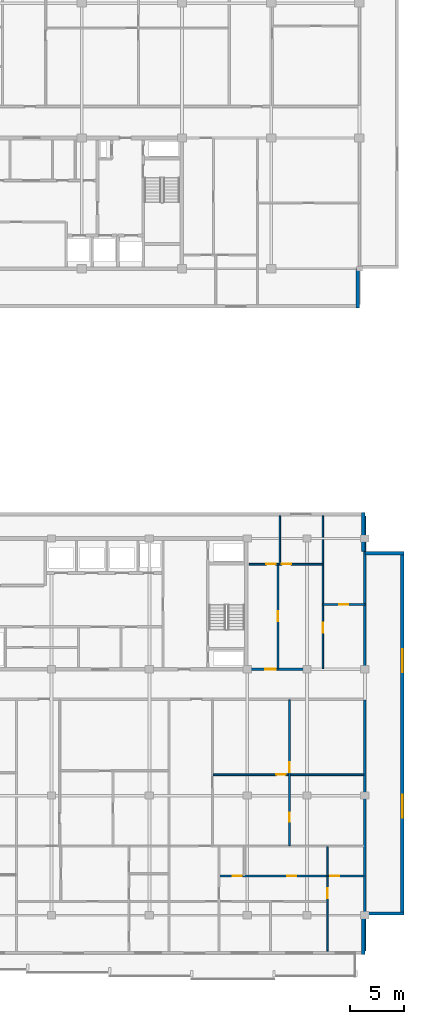
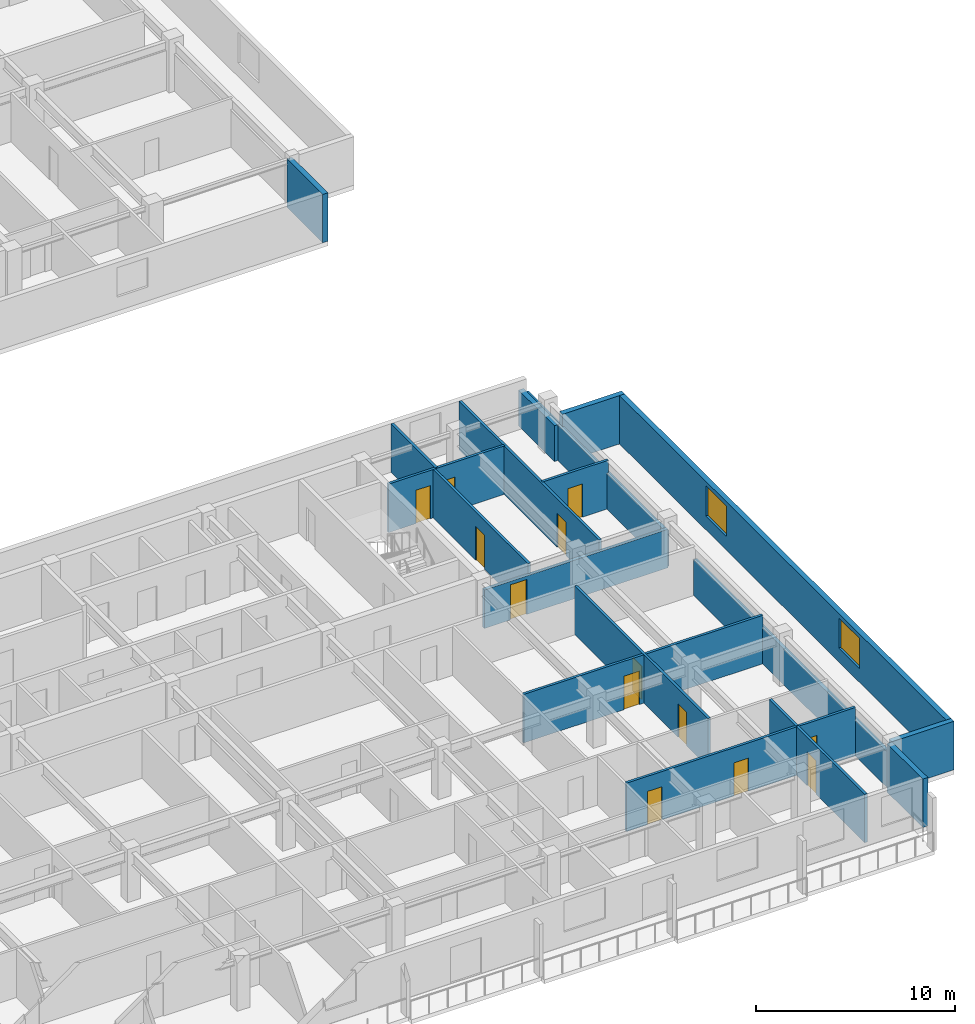
# One storey, part 10 of 22: 19 walls, 13 doors, 2 windows, 15 openings.
"""IFC4 building model written with IfcOpenShell, lengths in metres."""

from ifc_helpers import new_model, si_unit, direction, frame, frame_2d, origin, place, context, subcontext, project, spatial, rectangle, extrude, material, layer, layer_set, type_object, element, fill, save


model = new_model("IFC4")

# Units and contexts
model_context = context("Model", 3, precision=1e-05, world=origin(), true_north=direction((0.0, 1.0)))
body_context = subcontext(model_context, "Body", "Model", "MODEL_VIEW")
ifc_project = project(units=[si_unit("LENGTHUNIT", "METRE"), si_unit("AREAUNIT", "SQUARE_METRE"), si_unit("VOLUMEUNIT", "CUBIC_METRE"), si_unit("PLANEANGLEUNIT", "RADIAN"), si_unit("MASSUNIT", "GRAM", prefix="KILO")], contexts=[model_context])

# Site, building, storey
site_placement = place(None, origin())
site = spatial("IfcSite", under=ifc_project, at=site_placement, CompositionType="ELEMENT")
building_placement = place(site_placement, origin())
building = spatial("IfcBuilding", under=site, at=building_placement, Name="Korimba Cascade Residences", CompositionType="ELEMENT")
storey_placement = place(building_placement, frame((0.0, 0.0, 191.35009765625)))
storey = spatial("IfcBuildingStorey", under=building, at=storey_placement, Name="L55", CompositionType="ELEMENT", Elevation=191.35009765625)

# Walls
ifc_material_1 = material(Name="Precast concrete C40/50", Category="concrete")
ifc_layer_1 = layer(ifc_material_1, 0.300048828125)
ifc_layer_set_1 = layer_set([ifc_layer_1], Name="Precast concrete C40/50")
wall_type_1 = type_object("IfcWallType", Name="EW-STONE-300", PredefinedType="STANDARD", material=ifc_layer_set_1)
wall_1_placement = place(storey_placement, frame((128.25, 51.60009765625, 0.0), z_axis=(0.0, 0.0, 1.0), x_axis=(0.0, 1.0, 0.0)))
element("IfcWall", 1, at=wall_1_placement, inside=storey, type_object=wall_type_1, Name="L55 T1 Perimeter Stone Wall E01", PredefinedType="STANDARD", context=body_context, shape_type="SweptSolid", body=[
    extrude(rectangle(XDim=3.599853515625, YDim=0.300048828125, at=frame_2d((1.7998046875, 0.0))), origin(), (0.0, 0.0, 1.0), 2.969970703125),
])
for number, where, z_axis, x_axis, name in (
    (2, (128.75, -7.800048828125, 0.0), (0.0, 0.0, 1.0), (0.0, 1.0, 0.0), "L55 T2 Perimeter Stone Wall E01"),
    (3, (128.89990234375, -4.050048828125, 0.0), (0.0, 0.0, 1.0), (1.0, 0.0, 0.0), "L55 T2 Perimeter Stone Wall E02"),
):
    element("IfcWall", number, at=place(storey_placement, frame(where, z_axis=z_axis, x_axis=x_axis)), inside=storey, type_object=wall_type_1, Name=name, PredefinedType="STANDARD", context=body_context, shape_type="SweptSolid", body=[
        extrude(rectangle(XDim=3.60009765625, YDim=0.300048828125, at=frame_2d((1.800048828125, 0.0))), origin(), (0.0, 0.0, 1.0), 2.969970703125),
    ])

# Wall, openings, windows
wall_2_placement = place(storey_placement, frame((132.35009765625, -4.199951171875, 0.0), z_axis=(0.0, 0.0, 1.0), x_axis=(0.0, 1.0, 0.0)))
wall_2 = element("IfcWall", 4, at=wall_2_placement, inside=storey, type_object=wall_type_1, Name="L55 T2 Perimeter Stone Wall E03", PredefinedType="STANDARD", context=body_context, shape_type="SweptSolid", body=[
    extrude(rectangle(XDim=33.39990234375, YDim=0.300048828125, at=frame_2d((16.699951171875, 0.0))), origin(), (0.0, 0.0, 1.0), 2.969970703125),
])
opening_1_placement = place(wall_2_placement, frame((8.969970703125, 0.0, 0.85009765625)))
opening_1 = element("IfcOpeningElement", 5, at=opening_1_placement, cuts=wall_2, Name="Opening W-03", PredefinedType="OPENING", context=body_context, shape_type="SweptSolid", body=[
    extrude(rectangle(XDim=2.10009765625, YDim=1.85009765625, at=frame_2d((1.050048828125, 0.925048828125))), frame((0.0, 0.16015625, 0.0), z_axis=(0.0, -1.0, 0.0), x_axis=(1.0, 0.0, 0.0)), (0.0, 0.0, 1.0), 0.320068359375),
])
opening_2_placement = place(wall_2_placement, frame((22.330078125, 0.0, 0.85009765625)))
opening_2 = element("IfcOpeningElement", 6, at=opening_2_placement, cuts=wall_2, Name="Opening W-03", PredefinedType="OPENING", context=body_context, shape_type="SweptSolid", body=[
    extrude(rectangle(XDim=2.10009765625, YDim=1.85009765625, at=frame_2d((1.050048828125, 0.925048828125))), frame((0.0, 0.16015625, 0.0), z_axis=(0.0, -1.0, 0.0), x_axis=(1.0, 0.0, 0.0)), (0.0, 0.0, 1.0), 0.320068359375),
])
ifc_material_2 = material(Name="Double-Glazed Aluminium Window", Category="aluminium")
window_type = type_object("IfcWindowType", Name="WIN-CRN-2100", PartitioningType="DOUBLE_PANEL_HORIZONTAL", PredefinedType="WINDOW", material=ifc_material_2)
window_1_placement = place(opening_1_placement, origin())
window_1 = element("IfcWindow", 7, at=window_1_placement, inside=storey, type_object=window_type, Name="L55 T2 End View Window 3.1", OverallHeight=1.85009765625, OverallWidth=2.10009765625, PartitioningType="DOUBLE_PANEL_HORIZONTAL", PredefinedType="WINDOW", context=body_context, shape_type="SweptSolid", body=[
    extrude(rectangle(XDim=2.10009765625, YDim=1.85009765625, at=frame_2d((1.050048828125, 0.925048828125))), frame((0.0, 0.030029296875, 0.0), z_axis=(0.0, -1.0, 0.0), x_axis=(1.0, 0.0, 0.0)), (0.0, 0.0, 1.0), 0.06005859375),
])
fill(opening_1, window_1)
window_2_placement = place(opening_2_placement, origin())
window_2 = element("IfcWindow", 8, at=window_2_placement, inside=storey, type_object=window_type, Name="L55 T2 End View Window 3.2", OverallHeight=1.85009765625, OverallWidth=2.10009765625, PartitioningType="DOUBLE_PANEL_HORIZONTAL", PredefinedType="WINDOW", context=body_context, shape_type="SweptSolid", body=[
    extrude(rectangle(XDim=2.10009765625, YDim=1.85009765625, at=frame_2d((1.050048828125, 0.925048828125))), frame((0.0, 0.030029296875, 0.0), z_axis=(0.0, -1.0, 0.0), x_axis=(1.0, 0.0, 0.0)), (0.0, 0.0, 1.0), 0.06005859375),
])
fill(opening_2, window_2)

# Walls
wall_3_placement = place(storey_placement, frame((132.5, 29.050048828125, 0.0), z_axis=(0.0, 0.0, 1.0), x_axis=(-1.0, 0.0, 0.0)))
element("IfcWall", 9, at=wall_3_placement, inside=storey, type_object=wall_type_1, Name="L55 T2 Perimeter Stone Wall E04", PredefinedType="STANDARD", context=body_context, shape_type="SweptSolid", body=[
    extrude(rectangle(XDim=3.60009765625, YDim=0.300048828125, at=frame_2d((1.800048828125, 0.0))), origin(), (0.0, 0.0, 1.0), 2.969970703125),
])
wall_4_placement = place(storey_placement, frame((128.75, 29.199951171875, 0.0), z_axis=(0.0, 0.0, 1.0), x_axis=(0.0, 1.0, 0.0)))
element("IfcWall", 10, at=wall_4_placement, inside=storey, type_object=wall_type_1, Name="L55 T2 Perimeter Stone Wall E05", PredefinedType="STANDARD", context=body_context, shape_type="SweptSolid", body=[
    extrude(rectangle(XDim=3.60009765625, YDim=0.300048828125, at=frame_2d((1.800048828125, 0.0))), origin(), (0.0, 0.0, 1.0), 2.2001953125),
])
ifc_layer_2 = layer(ifc_material_1, 0.199951171875)
ifc_layer_set_2 = layer_set([ifc_layer_2], Name="Precast concrete C40/50")
wall_type_2 = type_object("IfcWallType", Name="WAL-IT-200", PredefinedType="PARTITIONING", material=ifc_layer_set_2)
wall_5_placement = place(storey_placement, frame((128.89990234375, 18.39990234375, 0.0), z_axis=(0.0, 0.0, 1.0), x_axis=(0.0, 1.0, 0.0)))
element("IfcWall", 11, at=wall_5_placement, inside=storey, type_object=wall_type_2, Name="L55 Partition Wall WAL-L55-T2-FE-WR", PredefinedType="PARTITIONING", context=body_context, shape_type="SweptSolid", body=[
    extrude(rectangle(XDim=14.10009765625, YDim=0.199951171875, at=frame_2d((7.050048828125, 0.0))), origin(), (0.0, 0.0, 1.0), 2.2001953125),
])

# Wall, opening, door
wall_6_placement = place(storey_placement, frame((118.25, 18.39990234375, 0.0), z_axis=(0.0, 0.0, 1.0), x_axis=(1.0, 0.0, 0.0)))
wall_6 = element("IfcWall", 12, at=wall_6_placement, inside=storey, type_object=wall_type_2, Name="L55 Partition Wall WAL-L55-T2-FE-S", PredefinedType="PARTITIONING", context=body_context, shape_type="SweptSolid", body=[
    extrude(rectangle(XDim=10.64990234375, YDim=0.199951171875, at=frame_2d((5.324951171875, 0.0))), origin(), (0.0, 0.0, 1.0), 2.357666015625),
])
opening_3_placement = place(wall_6_placement, frame((1.510009765625, 0.0, 0.0)))
opening_3 = element("IfcOpeningElement", 13, at=opening_3_placement, cuts=wall_6, Name="Opening D-UN1", PredefinedType="OPENING", context=body_context, shape_type="SweptSolid", body=[
    extrude(rectangle(XDim=0.949951171875, YDim=2.14990234375, at=frame_2d((0.47509765625, 1.074951171875))), frame((0.0, 0.10986328125, 0.0), z_axis=(0.0, -1.0, 0.0), x_axis=(1.0, 0.0, 0.0)), (0.0, 0.0, 1.0), 0.219970703125),
])
ifc_material_3 = material(Name="Fire-Rated Hardwood Apartment Entrance Door", Category="wood")
door_type_1 = type_object("IfcDoorType", Name="DR-FD60-950", OperationType="NOTDEFINED", PredefinedType="DOOR", material=ifc_material_3)
door_1_placement = place(opening_3_placement, origin())
door_1 = element("IfcDoor", 14, at=door_1_placement, inside=storey, type_object=door_type_1, Name="L55-T2-FE Entrance Door", OperationType="SINGLE_SWING_RIGHT", OverallHeight=2.14990234375, OverallWidth=0.949951171875, PredefinedType="DOOR", context=body_context, shape_type="SweptSolid", body=[
    extrude(rectangle(XDim=0.949951171875, YDim=2.14990234375, at=frame_2d((0.47509765625, 1.074951171875))), frame((0.0, 0.02490234375, 0.0), z_axis=(0.0, -1.0, 0.0), x_axis=(1.0, 0.0, 0.0)), (0.0, 0.0, 1.0), 0.050048828125),
])
fill(opening_3, door_1)

# Wall
wall_7_placement = place(storey_placement, frame((128.89990234375, -7.5, 0.0), z_axis=(0.0, 0.0, 1.0), x_axis=(0.0, 1.0, 0.0)))
element("IfcWall", 15, at=wall_7_placement, inside=storey, type_object=wall_type_2, Name="L55 Partition Wall WAL-L55-T2-BNDWR", PredefinedType="PARTITIONING", context=body_context, shape_type="SweptSolid", body=[
    extrude(rectangle(XDim=23.070068359375, YDim=0.199951171875, at=frame_2d((11.53515625, 0.0))), origin(), (0.0, 0.0, 1.0), 2.2001953125),
])

# Wall, opening, door
ifc_material_4 = material(Name="Insulated Acoustic Stud Partition", Category="gypsum")
ifc_layer_3 = layer(ifc_material_4, 0.14990234375)
ifc_layer_set_3 = layer_set([ifc_layer_3], Name="Insulated Acoustic Stud Partition")
wall_type_3 = type_object("IfcWallType", Name="WAL-PART-150", PredefinedType="PARTITIONING", material=ifc_layer_set_3)
wall_8_placement = place(storey_placement, frame((125.050048828125, 24.35009765625, 0.0), z_axis=(0.0, 0.0, 1.0), x_axis=(1.0, 0.0, 0.0)))
wall_8 = element("IfcWall", 16, at=wall_8_placement, inside=storey, type_object=wall_type_3, Name="L55 Partition Wall WAL-L55-T2-FE-STH", PredefinedType="PARTITIONING", context=body_context, shape_type="SweptSolid", body=[
    extrude(rectangle(XDim=3.849853515625, YDim=0.14990234375, at=frame_2d((1.9248046875, 0.0))), origin(), (0.0, 0.0, 1.0), 2.969970703125),
])
opening_4_placement = place(wall_8_placement, frame((1.5048828125, 0.0, 0.0)))
opening_4 = element("IfcOpeningElement", 17, at=opening_4_placement, cuts=wall_8, Name="Opening D-BT1", PredefinedType="OPENING", context=body_context, shape_type="SweptSolid", body=[
    extrude(rectangle(XDim=0.840087890625, YDim=2.0400390625, at=frame_2d((0.419921875, 1.02001953125))), frame((0.0, 0.0849609375, 0.0), z_axis=(0.0, -1.0, 0.0), x_axis=(1.0, 0.0, 0.0)), (0.0, 0.0, 1.0), 0.169921875),
])
ifc_material_5 = material(Name="Moisture-Resistant Bathroom Timber Door", Category="wood")
door_type_2 = type_object("IfcDoorType", Name="DR-INT-850", OperationType="NOTDEFINED", PredefinedType="DOOR", material=ifc_material_5)
door_2_placement = place(opening_4_placement, origin())
door_2 = element("IfcDoor", 18, at=door_2_placement, inside=storey, type_object=door_type_2, Name="L55-T2-FE Dressing Store Door", OperationType="SINGLE_SWING_LEFT", OverallHeight=2.0400390625, OverallWidth=0.840087890625, PredefinedType="DOOR", context=body_context, shape_type="SweptSolid", body=[
    extrude(rectangle(XDim=0.840087890625, YDim=2.0400390625, at=frame_2d((0.419921875, 1.02001953125))), frame((0.0, 0.02490234375, 0.0), z_axis=(0.0, -1.0, 0.0), x_axis=(1.0, 0.0, 0.0)), (0.0, 0.0, 1.0), 0.050048828125),
])
fill(opening_4, door_2)

wall_9_placement = place(storey_placement, frame((125.050048828125, 18.449951171875, 0.0), z_axis=(0.0, 0.0, 1.0), x_axis=(0.0, 1.0, 0.0)))
wall_9 = element("IfcWall", 19, at=wall_9_placement, inside=storey, type_object=wall_type_3, Name="L55 Partition Wall WAL-L55-T2-FE-STV", PredefinedType="PARTITIONING", context=body_context, shape_type="SweptSolid", body=[
    extrude(rectangle(XDim=14.050048828125, YDim=0.14990234375, at=frame_2d((7.02490234375, 0.0))), origin(), (0.0, 0.0, 1.0), 2.969970703125),
])
opening_5_placement = place(wall_9_placement, frame((3.320068359375, 0.0, 0.0)))
opening_5 = element("IfcOpeningElement", 20, at=opening_5_placement, cuts=wall_9, Name="Opening D-IN2", PredefinedType="OPENING", context=body_context, shape_type="SweptSolid", body=[
    extrude(rectangle(XDim=0.8798828125, YDim=2.06005859375, at=frame_2d((0.43994140625, 1.030029296875))), frame((0.0, 0.0849609375, 0.0), z_axis=(0.0, -1.0, 0.0), x_axis=(1.0, 0.0, 0.0)), (0.0, 0.0, 1.0), 0.169921875),
])
ifc_material_6 = material(Name="Acoustic Timber Bedroom Door", Category="wood")
door_type_3 = type_object("IfcDoorType", Name="DR-INT-880", OperationType="NOTDEFINED", PredefinedType="DOOR", material=ifc_material_6)
door_3_placement = place(opening_5_placement, origin())
door_3 = element("IfcDoor", 21, at=door_3_placement, inside=storey, type_object=door_type_3, Name="L55-T2-FE Study Door", OperationType="SINGLE_SWING_RIGHT", OverallHeight=2.06005859375, OverallWidth=0.8798828125, PredefinedType="DOOR", context=body_context, shape_type="SweptSolid", body=[
    extrude(rectangle(XDim=0.8798828125, YDim=2.06005859375, at=frame_2d((0.43994140625, 1.030029296875))), frame((0.0, 0.02490234375, 0.0), z_axis=(0.0, -1.0, 0.0), x_axis=(1.0, 0.0, 0.0)), (0.0, 0.0, 1.0), 0.050048828125),
])
fill(opening_5, door_3)

wall_10_placement = place(storey_placement, frame((120.929931640625, 18.449951171875, 0.0), z_axis=(0.0, 0.0, 1.0), x_axis=(0.0, 1.0, 0.0)))
wall_10 = element("IfcWall", 22, at=wall_10_placement, inside=storey, type_object=wall_type_3, Name="L55 Partition Wall WAL-L55-T2-FE-VS", PredefinedType="PARTITIONING", context=body_context, shape_type="SweptSolid", body=[
    extrude(rectangle(XDim=9.60009765625, YDim=0.14990234375, at=frame_2d((4.800048828125, 0.0))), origin(), (0.0, 0.0, 1.0), 2.969970703125),
])
opening_6_placement = place(wall_10_placement, frame((4.340087890625, 0.0, 0.0)))
opening_6 = element("IfcOpeningElement", 23, at=opening_6_placement, cuts=wall_10, Name="Opening D-IN1", PredefinedType="OPENING", context=body_context, shape_type="SweptSolid", body=[
    extrude(rectangle(XDim=0.919921875, YDim=2.080078125, at=frame_2d((0.4599609375, 1.0400390625))), frame((0.0, 0.0849609375, 0.0), z_axis=(0.0, -1.0, 0.0), x_axis=(1.0, 0.0, 0.0)), (0.0, 0.0, 1.0), 0.169921875),
])
ifc_material_7 = material(Name="Acoustic Timber Living Door", Category="wood")
door_type_4 = type_object("IfcDoorType", Name="DR-INT-920", OperationType="NOTDEFINED", PredefinedType="DOOR", material=ifc_material_7)
door_4_placement = place(opening_6_placement, origin())
door_4 = element("IfcDoor", 24, at=door_4_placement, inside=storey, type_object=door_type_4, Name="L55-T2-FE Living Door", OperationType="SINGLE_SWING_LEFT", OverallHeight=2.080078125, OverallWidth=0.919921875, PredefinedType="DOOR", context=body_context, shape_type="SweptSolid", body=[
    extrude(rectangle(XDim=0.919921875, YDim=2.080078125, at=frame_2d((0.4599609375, 1.0400390625))), frame((0.0, 0.02490234375, 0.0), z_axis=(0.0, -1.0, 0.0), x_axis=(1.0, 0.0, 0.0)), (0.0, 0.0, 1.0), 0.050048828125),
])
fill(opening_6, door_4)

# Wall
wall_11_placement = place(storey_placement, frame((121.10009765625, 28.050048828125, 0.0), z_axis=(0.0, 0.0, 1.0), x_axis=(0.0, 1.0, 0.0)))
element("IfcWall", 25, at=wall_11_placement, inside=storey, type_object=wall_type_3, Name="L55 Partition Wall WAL-L55-T2-FE-VN", PredefinedType="PARTITIONING", context=body_context, shape_type="SweptSolid", body=[
    extrude(rectangle(XDim=4.449951171875, YDim=0.14990234375, at=frame_2d((2.22509765625, 0.0))), origin(), (0.0, 0.0, 1.0), 2.969970703125),
])

# Wall, openings, doors
wall_12_placement = place(storey_placement, frame((118.27001953125, 28.050048828125, 0.0), z_axis=(0.0, 0.0, 1.0), x_axis=(1.0, 0.0, 0.0)))
wall_12 = element("IfcWall", 26, at=wall_12_placement, inside=storey, type_object=wall_type_3, Name="L55 Partition Wall WAL-L55-T2-FE-H", PredefinedType="PARTITIONING", context=body_context, shape_type="SweptSolid", body=[
    extrude(rectangle(XDim=6.760009765625, YDim=0.14990234375, at=frame_2d((3.3798828125, 0.0))), origin(), (0.0, 0.0, 1.0), 2.969970703125),
])
opening_7_placement = place(wall_12_placement, frame((1.58740234375, 0.0, 0.0)))
opening_7 = element("IfcOpeningElement", 27, at=opening_7_placement, cuts=wall_12, Name="Opening D-BT1", PredefinedType="OPENING", context=body_context, shape_type="SweptSolid", body=[
    extrude(rectangle(XDim=0.840087890625, YDim=2.0400390625, at=frame_2d((0.419921875, 1.02001953125))), frame((0.0, 0.0849609375, 0.0), z_axis=(0.0, -1.0, 0.0), x_axis=(1.0, 0.0, 0.0)), (0.0, 0.0, 1.0), 0.169921875),
])
opening_8_placement = place(wall_12_placement, frame((2.988037109375, 0.0, 0.0)))
opening_8 = element("IfcOpeningElement", 28, at=opening_8_placement, cuts=wall_12, Name="Opening D-IN2", PredefinedType="OPENING", context=body_context, shape_type="SweptSolid", body=[
    extrude(rectangle(XDim=0.8798828125, YDim=2.06005859375, at=frame_2d((0.43994140625, 1.030029296875))), frame((0.0, 0.0849609375, 0.0), z_axis=(0.0, -1.0, 0.0), x_axis=(1.0, 0.0, 0.0)), (0.0, 0.0, 1.0), 0.169921875),
])
door_5_placement = place(opening_7_placement, origin())
door_5 = element("IfcDoor", 29, at=door_5_placement, inside=storey, type_object=door_type_2, Name="L55-T2-FE Bathroom Door", OperationType="SINGLE_SWING_RIGHT", OverallHeight=2.0400390625, OverallWidth=0.840087890625, PredefinedType="DOOR", context=body_context, shape_type="SweptSolid", body=[
    extrude(rectangle(XDim=0.840087890625, YDim=2.0400390625, at=frame_2d((0.419921875, 1.02001953125))), frame((0.0, 0.02490234375, 0.0), z_axis=(0.0, -1.0, 0.0), x_axis=(1.0, 0.0, 0.0)), (0.0, 0.0, 1.0), 0.050048828125),
])
fill(opening_7, door_5)
door_6_placement = place(opening_8_placement, origin())
door_6 = element("IfcDoor", 30, at=door_6_placement, inside=storey, type_object=door_type_3, Name="L55-T2-FE Bedroom Door", OperationType="SINGLE_SWING_LEFT", OverallHeight=2.06005859375, OverallWidth=0.8798828125, PredefinedType="DOOR", context=body_context, shape_type="SweptSolid", body=[
    extrude(rectangle(XDim=0.8798828125, YDim=2.06005859375, at=frame_2d((0.43994140625, 1.030029296875))), frame((0.0, 0.02490234375, 0.0), z_axis=(0.0, -1.0, 0.0), x_axis=(1.0, 0.0, 0.0)), (0.0, 0.0, 1.0), 0.050048828125),
])
fill(opening_8, door_6)

wall_13_placement = place(storey_placement, frame((121.985595703125, 2.18994140625, 0.0), z_axis=(0.0, 0.0, 1.0), x_axis=(0.0, 1.0, 0.0)))
wall_13 = element("IfcWall", 31, at=wall_13_placement, inside=storey, type_object=wall_type_3, Name="L55 Partition Wall WAL-L55-T2-U03-FMV", PredefinedType="PARTITIONING", context=body_context, shape_type="SweptSolid", body=[
    extrude(rectangle(XDim=13.400146484375, YDim=0.14990234375, at=frame_2d((6.7001953125, 0.0))), origin(), (0.0, 0.0, 1.0), 2.969970703125),
])
opening_9_placement = place(wall_13_placement, frame((2.1787109375, 0.0, 0.0)))
opening_9 = element("IfcOpeningElement", 32, at=opening_9_placement, cuts=wall_13, Name="Opening D-BT1", PredefinedType="OPENING", context=body_context, shape_type="SweptSolid", body=[
    extrude(rectangle(XDim=0.840087890625, YDim=2.0400390625, at=frame_2d((0.419921875, 1.02001953125))), frame((0.0, 0.0849609375, 0.0), z_axis=(0.0, -1.0, 0.0), x_axis=(1.0, 0.0, 0.0)), (0.0, 0.0, 1.0), 0.169921875),
])
opening_10_placement = place(wall_13_placement, frame((6.77001953125, 0.0, 0.0)))
opening_10 = element("IfcOpeningElement", 33, at=opening_10_placement, cuts=wall_13, Name="Opening D-IN2", PredefinedType="OPENING", context=body_context, shape_type="SweptSolid", body=[
    extrude(rectangle(XDim=0.8798828125, YDim=2.06005859375, at=frame_2d((0.43994140625, 1.030029296875))), frame((0.0, 0.0849609375, 0.0), z_axis=(0.0, -1.0, 0.0), x_axis=(1.0, 0.0, 0.0)), (0.0, 0.0, 1.0), 0.169921875),
])
door_7_placement = place(opening_9_placement, origin())
door_7 = element("IfcDoor", 34, at=door_7_placement, inside=storey, type_object=door_type_2, Name="L55-T2-U03 Wardrobe Door", OperationType="SINGLE_SWING_LEFT", OverallHeight=2.0400390625, OverallWidth=0.840087890625, PredefinedType="DOOR", context=body_context, shape_type="SweptSolid", body=[
    extrude(rectangle(XDim=0.840087890625, YDim=2.0400390625, at=frame_2d((0.419921875, 1.02001953125))), frame((0.0, 0.02490234375, 0.0), z_axis=(0.0, -1.0, 0.0), x_axis=(1.0, 0.0, 0.0)), (0.0, 0.0, 1.0), 0.050048828125),
])
fill(opening_9, door_7)
door_8_placement = place(opening_10_placement, origin())
door_8 = element("IfcDoor", 35, at=door_8_placement, inside=storey, type_object=door_type_3, Name="L55-T2-U03 Music Lounge Door", OperationType="SINGLE_SWING_RIGHT", OverallHeight=2.06005859375, OverallWidth=0.8798828125, PredefinedType="DOOR", context=body_context, shape_type="SweptSolid", body=[
    extrude(rectangle(XDim=0.8798828125, YDim=2.06005859375, at=frame_2d((0.43994140625, 1.030029296875))), frame((0.0, 0.02490234375, 0.0), z_axis=(0.0, -1.0, 0.0), x_axis=(1.0, 0.0, 0.0)), (0.0, 0.0, 1.0), 0.050048828125),
])
fill(opening_10, door_8)

# Wall, opening, door
wall_14_placement = place(storey_placement, frame((114.951416015625, 8.7099609375, 0.0), z_axis=(0.0, 0.0, 1.0), x_axis=(1.0, 0.0, 0.0)))
wall_14 = element("IfcWall", 36, at=wall_14_placement, inside=storey, type_object=wall_type_3, Name="L55 Partition Wall WAL-L55-T2-U03-FMH", PredefinedType="PARTITIONING", context=body_context, shape_type="SweptSolid", body=[
    extrude(rectangle(XDim=13.86865234375, YDim=0.14990234375, at=frame_2d((6.934326171875, 0.0))), origin(), (0.0, 0.0, 1.0), 2.969970703125),
])
opening_11_placement = place(wall_14_placement, frame((5.822509765625, 0.0, 0.0)))
opening_11 = element("IfcOpeningElement", 37, at=opening_11_placement, cuts=wall_14, Name="Opening D-IN2", PredefinedType="OPENING", context=body_context, shape_type="SweptSolid", body=[
    extrude(rectangle(XDim=0.8798828125, YDim=2.06005859375, at=frame_2d((0.43994140625, 1.030029296875))), frame((0.0, 0.0849609375, 0.0), z_axis=(0.0, -1.0, 0.0), x_axis=(1.0, 0.0, 0.0)), (0.0, 0.0, 1.0), 0.169921875),
])
door_9_placement = place(opening_11_placement, origin())
door_9 = element("IfcDoor", 38, at=door_9_placement, inside=storey, type_object=door_type_3, Name="L55-T2-U03 Library Salon Door", OperationType="SINGLE_SWING_LEFT", OverallHeight=2.06005859375, OverallWidth=0.8798828125, PredefinedType="DOOR", context=body_context, shape_type="SweptSolid", body=[
    extrude(rectangle(XDim=0.8798828125, YDim=2.06005859375, at=frame_2d((0.43994140625, 1.030029296875))), frame((0.0, 0.02490234375, 0.0), z_axis=(0.0, -1.0, 0.0), x_axis=(1.0, 0.0, 0.0)), (0.0, 0.0, 1.0), 0.050048828125),
])
fill(opening_11, door_9)

# Wall
wall_15_placement = place(storey_placement, frame((125.47998046875, -0.580078125, 0.0), z_axis=(0.0, 0.0, 1.0), x_axis=(0.0, 1.0, 0.0)))
element("IfcWall", 39, at=wall_15_placement, inside=storey, type_object=wall_type_3, Name="L55 Partition Wall WAL-L55-T2-U03-VBATH", PredefinedType="PARTITIONING", context=body_context, shape_type="SweptSolid", body=[
    extrude(rectangle(XDim=2.690185546875, YDim=0.14990234375, at=frame_2d((1.34521484375, 0.0))), origin(), (0.0, 0.0, 1.0), 2.969970703125),
])

# Wall, opening, door
wall_16_placement = place(storey_placement, frame((125.47998046875, -7.5, 0.0), z_axis=(0.0, 0.0, 1.0), x_axis=(0.0, 1.0, 0.0)))
wall_16 = element("IfcWall", 40, at=wall_16_placement, inside=storey, type_object=wall_type_3, Name="L55 Partition Wall WAL-L55-T2-U03-V2FULL", PredefinedType="PARTITIONING", context=body_context, shape_type="SweptSolid", body=[
    extrude(rectangle(XDim=6.8798828125, YDim=0.14990234375, at=frame_2d((3.43994140625, 0.0))), origin(), (0.0, 0.0, 1.0), 2.969970703125),
])
opening_12_placement = place(wall_16_placement, frame((4.8701171875, 0.0, 0.0)))
opening_12 = element("IfcOpeningElement", 41, at=opening_12_placement, cuts=wall_16, Name="Opening D-IN1", PredefinedType="OPENING", context=body_context, shape_type="SweptSolid", body=[
    extrude(rectangle(XDim=0.919921875, YDim=2.080078125, at=frame_2d((0.4599609375, 1.0400390625))), frame((0.0, 0.0849609375, 0.0), z_axis=(0.0, -1.0, 0.0), x_axis=(1.0, 0.0, 0.0)), (0.0, 0.0, 1.0), 0.169921875),
])
door_10_placement = place(opening_12_placement, origin())
door_10 = element("IfcDoor", 42, at=door_10_placement, inside=storey, type_object=door_type_4, Name="L55-T2-U03 Master Bedroom Door", OperationType="SINGLE_SWING_RIGHT", OverallHeight=2.080078125, OverallWidth=0.919921875, PredefinedType="DOOR", context=body_context, shape_type="SweptSolid", body=[
    extrude(rectangle(XDim=0.919921875, YDim=2.080078125, at=frame_2d((0.4599609375, 1.0400390625))), frame((0.0, 0.02490234375, 0.0), z_axis=(0.0, -1.0, 0.0), x_axis=(1.0, 0.0, 0.0)), (0.0, 0.0, 1.0), 0.050048828125),
])
fill(opening_12, door_10)

# Wall, openings, doors
wall_17_placement = place(storey_placement, frame((115.54150390625, -0.60009765625, 0.0), z_axis=(0.0, 0.0, 1.0), x_axis=(1.0, 0.0, 0.0)))
wall_17 = element("IfcWall", 43, at=wall_17_placement, inside=storey, type_object=wall_type_3, Name="L55 Partition Wall WAL-L55-T2-U03-HWALL", PredefinedType="PARTITIONING", context=body_context, shape_type="SweptSolid", body=[
    extrude(rectangle(XDim=13.278564453125, YDim=0.14990234375, at=frame_2d((6.63916015625, 0.0))), origin(), (0.0, 0.0, 1.0), 2.969970703125),
])
opening_13_placement = place(wall_17_placement, frame((1.2099609375, 0.0, 0.0)))
opening_13 = element("IfcOpeningElement", 44, at=opening_13_placement, cuts=wall_17, Name="Opening D-BT1", PredefinedType="OPENING", context=body_context, shape_type="SweptSolid", body=[
    extrude(rectangle(XDim=0.840087890625, YDim=2.0400390625, at=frame_2d((0.419921875, 1.02001953125))), frame((0.0, 0.0849609375, 0.0), z_axis=(0.0, -1.0, 0.0), x_axis=(1.0, 0.0, 0.0)), (0.0, 0.0, 1.0), 0.169921875),
])
opening_14_placement = place(wall_17_placement, frame((6.21923828125, 0.0, 0.0)))
opening_14 = element("IfcOpeningElement", 45, at=opening_14_placement, cuts=wall_17, Name="Opening D-BT1", PredefinedType="OPENING", context=body_context, shape_type="SweptSolid", body=[
    extrude(rectangle(XDim=0.840087890625, YDim=2.0400390625, at=frame_2d((0.419921875, 1.02001953125))), frame((0.0, 0.0849609375, 0.0), z_axis=(0.0, -1.0, 0.0), x_axis=(1.0, 0.0, 0.0)), (0.0, 0.0, 1.0), 0.169921875),
])
opening_15_placement = place(wall_17_placement, frame((10.188720703125, 0.0, 0.0)))
opening_15 = element("IfcOpeningElement", 46, at=opening_15_placement, cuts=wall_17, Name="Opening D-BT1", PredefinedType="OPENING", context=body_context, shape_type="SweptSolid", body=[
    extrude(rectangle(XDim=0.840087890625, YDim=2.0400390625, at=frame_2d((0.419921875, 1.02001953125))), frame((0.0, 0.0849609375, 0.0), z_axis=(0.0, -1.0, 0.0), x_axis=(1.0, 0.0, 0.0)), (0.0, 0.0, 1.0), 0.169921875),
])
door_11_placement = place(opening_13_placement, origin())
door_11 = element("IfcDoor", 47, at=door_11_placement, inside=storey, type_object=door_type_2, Name="L55-T2-U03 Family Bathroom Door", OperationType="SINGLE_SWING_LEFT", OverallHeight=2.0400390625, OverallWidth=0.840087890625, PredefinedType="DOOR", context=body_context, shape_type="SweptSolid", body=[
    extrude(rectangle(XDim=0.840087890625, YDim=2.0400390625, at=frame_2d((0.419921875, 1.02001953125))), frame((0.0, 0.02490234375, 0.0), z_axis=(0.0, -1.0, 0.0), x_axis=(1.0, 0.0, 0.0)), (0.0, 0.0, 1.0), 0.050048828125),
])
fill(opening_13, door_11)
door_12_placement = place(opening_14_placement, origin())
door_12 = element("IfcDoor", 48, at=door_12_placement, inside=storey, type_object=door_type_2, Name="L55-T2-U03 Dressing Room Door", OperationType="SINGLE_SWING_RIGHT", OverallHeight=2.0400390625, OverallWidth=0.840087890625, PredefinedType="DOOR", context=body_context, shape_type="SweptSolid", body=[
    extrude(rectangle(XDim=0.840087890625, YDim=2.0400390625, at=frame_2d((0.419921875, 1.02001953125))), frame((0.0, 0.02490234375, 0.0), z_axis=(0.0, -1.0, 0.0), x_axis=(1.0, 0.0, 0.0)), (0.0, 0.0, 1.0), 0.050048828125),
])
fill(opening_14, door_12)
door_13_placement = place(opening_15_placement, origin())
door_13 = element("IfcDoor", 49, at=door_13_placement, inside=storey, type_object=door_type_2, Name="L55-T2-U03 En-Suite Door", OperationType="SINGLE_SWING_LEFT", OverallHeight=2.0400390625, OverallWidth=0.840087890625, PredefinedType="DOOR", context=body_context, shape_type="SweptSolid", body=[
    extrude(rectangle(XDim=0.840087890625, YDim=2.0400390625, at=frame_2d((0.419921875, 1.02001953125))), frame((0.0, 0.02490234375, 0.0), z_axis=(0.0, -1.0, 0.0), x_axis=(1.0, 0.0, 0.0)), (0.0, 0.0, 1.0), 0.050048828125),
])
fill(opening_15, door_13)

save(model, "model.ifc")
